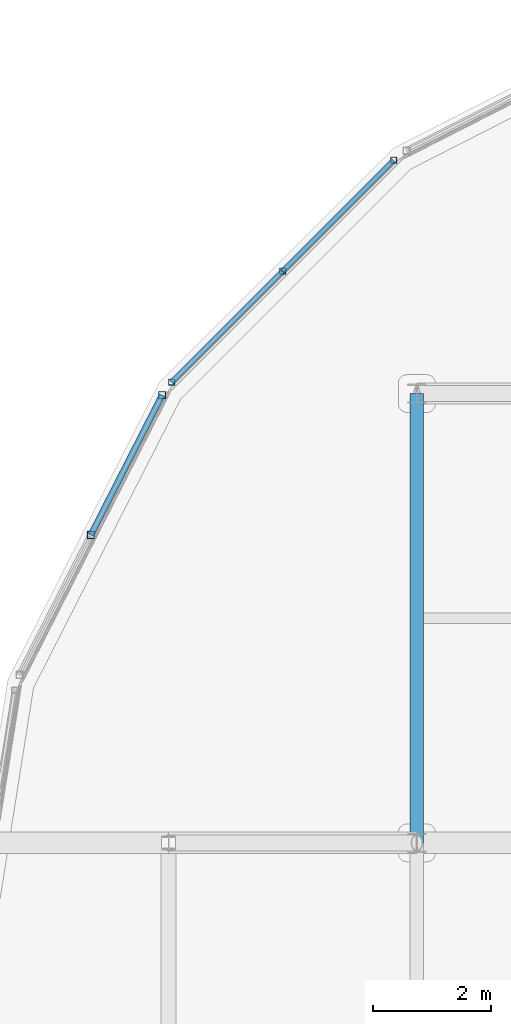
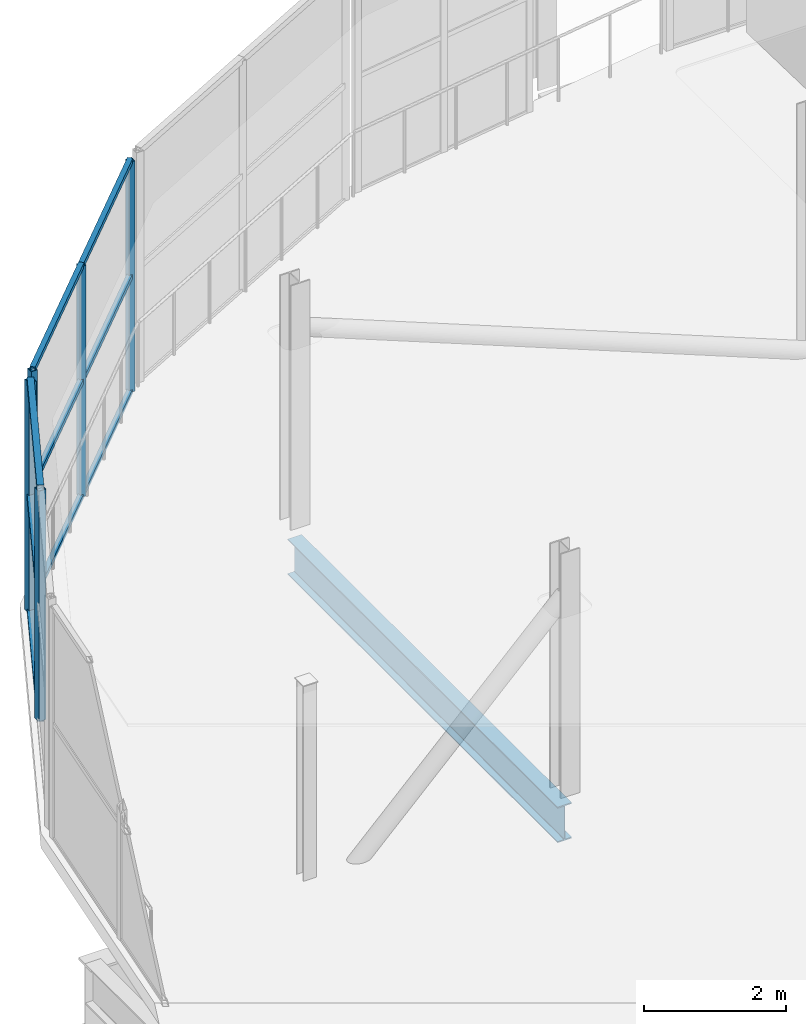
# One storey, part 53 of 151: 14 members, 1 beam, 2 elements without a shape of their own.
"""IFC4 building model written with IfcOpenShell, lengths in metres."""

from ifc_helpers import new_model, si_unit, direction, frame, origin, origin_2d, place, context, subcontext, project, spatial, hollow_rectangle, i_section, extrude, material, material_profile, profile_set, type_object, element, aggregate, save


model = new_model("IFC4")

# Units and contexts
model_context = context("Model", 3, precision=1e-05, world=origin(), true_north=direction((0.0, 1.0)))
body_context = subcontext(model_context, "Body", "Model", "MODEL_VIEW")
ifc_project = project(units=[si_unit("LENGTHUNIT", "METRE"), si_unit("AREAUNIT", "SQUARE_METRE"), si_unit("VOLUMEUNIT", "CUBIC_METRE"), si_unit("PLANEANGLEUNIT", "RADIAN"), si_unit("MASSUNIT", "GRAM", prefix="KILO")], contexts=[model_context])

# Site, building, storey
site_placement = place(None, origin())
site = spatial("IfcSite", under=ifc_project, at=site_placement, CompositionType="ELEMENT")
building_placement = place(site_placement, origin())
building = spatial("IfcBuilding", under=site, at=building_placement, Name="Zuvorla Pavilion Media Centre", CompositionType="ELEMENT")
storey_placement = place(building_placement, frame((0.0, 0.0, 13.800048828125)))
storey = spatial("IfcBuildingStorey", under=building, at=storey_placement, Name="L03", CompositionType="ELEMENT", Elevation=13.800048828125)

# Beam
ifc_material_1 = material(Name="Steel S355", Category="steel")
ifc_material_profile_1 = material_profile(ifc_material_1, i_section(OverallWidth=0.22900390625, OverallDepth=0.6123046875, WebThickness=0.011962890625, FlangeThickness=0.01953125, FilletRadius=0.0126953125, at=origin_2d()), Name="UB 610x229x125")
ifc_profile_set_1 = profile_set([ifc_material_profile_1], Name="Steel S355")
beam_type = type_object("IfcBeamType", Name="BM-UB610", PredefinedType="BEAM", material=ifc_profile_set_1)
beam_placement = place(storey_placement, frame((16.39990234375, 74.39990234375, -0.564208984375), z_axis=(0.0, 1.0, 0.0), x_axis=(-1.0, 0.0, 0.0)))
element("IfcBeam", 1, at=beam_placement, inside=storey, type_object=beam_type, Name="L03 beam B07 1150", PredefinedType="BEAM", context=body_context, shape_type="SweptSolid", body=[
    extrude(i_section(OverallWidth=0.22900390625, OverallDepth=0.6123046875, WebThickness=0.011962890625, FlangeThickness=0.01953125, FilletRadius=0.0126953125, at=origin_2d()), origin(), (0.0, 0.0, 1.0), 7.60009765625),
])

# Curtain wall, members
ifc_material_2 = material(Name="Unitised anodised aluminium and solar glass curtain wall", Category="aluminium")
curtain_wall_type_1 = type_object("IfcCurtainWallType", Name="CW-SYS-04", PredefinedType="USERDEFINED", material=ifc_material_2)
curtain_wall_1_placement = place(storey_placement, origin())
curtain_wall_1 = element("IfcCurtainWall", 2, at=curtain_wall_1_placement, inside=storey, type_object=curtain_wall_type_1, Name="L03 curtain wall CW04 123", ObjectType="CURTAIN WALL", PredefinedType="USERDEFINED")
ifc_material_3 = material(Name="Anodised aluminium 6063-T6", Category="aluminium")
ifc_material_profile_2 = material_profile(ifc_material_3, hollow_rectangle(XDim=0.10009765625, YDim=0.10009765625, WallThickness=0.00439453125, at=origin_2d()), Name="ALU MULL 100x100")
ifc_profile_set_2 = profile_set([ifc_material_profile_2], Name="Anodised aluminium 6063-T6")
member_type_1 = type_object("IfcMemberType", Name="CW-MULL-100", PredefinedType="MULLION", material=ifc_profile_set_2)
member_1_placement = place(storey_placement, frame((16.005859375, 85.9501953125, 0.0), z_axis=(0.0, 0.0, 1.0), x_axis=(1.0, 0.0, 0.0)))
member_1 = element("IfcMember", 3, at=member_1_placement, type_object=member_type_1, Name="CW04 mullion 1", PredefinedType="MULLION", context=body_context, shape_type="SweptSolid", body=[
    extrude(hollow_rectangle(XDim=0.10009765625, YDim=0.10009765625, WallThickness=0.00439453125, at=origin_2d()), origin(), (0.0, 0.0, 1.0), 3.9599609375),
])
member_2_placement = place(storey_placement, frame((14.127685546875, 84.072265625, 0.0), z_axis=(0.0, 0.0, 1.0), x_axis=(1.0, 0.0, 0.0)))
member_2 = element("IfcMember", 4, at=member_2_placement, type_object=member_type_1, Name="CW04 mullion 2", PredefinedType="MULLION", context=body_context, shape_type="SweptSolid", body=[
    extrude(hollow_rectangle(XDim=0.10009765625, YDim=0.10009765625, WallThickness=0.00439453125, at=origin_2d()), origin(), (0.0, 0.0, 1.0), 3.9599609375),
])
member_3_placement = place(storey_placement, frame((12.249755859375, 82.194091796875, 0.0), z_axis=(0.0, 0.0, 1.0), x_axis=(1.0, 0.0, 0.0)))
member_3 = element("IfcMember", 5, at=member_3_placement, type_object=member_type_1, Name="CW04 mullion 3", PredefinedType="MULLION", context=body_context, shape_type="SweptSolid", body=[
    extrude(hollow_rectangle(XDim=0.10009765625, YDim=0.10009765625, WallThickness=0.00439453125, at=origin_2d()), origin(), (0.0, 0.0, 1.0), 3.9599609375),
])

curtain_wall_type_2 = type_object("IfcCurtainWallType", Name="CW-SYS-02", PredefinedType="USERDEFINED", material=ifc_material_2)
curtain_wall_2_placement = place(storey_placement, origin())
curtain_wall_2 = element("IfcCurtainWall", 6, at=curtain_wall_2_placement, inside=storey, type_object=curtain_wall_type_2, Name="L03 curtain wall CW02 124", ObjectType="CURTAIN WALL", PredefinedType="USERDEFINED")
ifc_material_profile_3 = material_profile(ifc_material_3, hollow_rectangle(XDim=0.1201171875, YDim=0.1201171875, WallThickness=0.0048828125, at=origin_2d()), Name="ALU MULL 120x120")
ifc_profile_set_3 = profile_set([ifc_material_profile_3], Name="Anodised aluminium 6063-T6")
member_type_2 = type_object("IfcMemberType", Name="CW-MULL-120", PredefinedType="MULLION", material=ifc_profile_set_3)
member_4_placement = place(storey_placement, frame((12.08984375, 81.97412109375, 0.0), z_axis=(0.0, 0.0, 1.0), x_axis=(1.0, 0.0, 0.0)))
member_4 = element("IfcMember", 7, at=member_4_placement, type_object=member_type_2, Name="CW02 mullion 1", PredefinedType="MULLION", context=body_context, shape_type="SweptSolid", body=[
    extrude(hollow_rectangle(XDim=0.1201171875, YDim=0.1201171875, WallThickness=0.0048828125, at=origin_2d()), origin(), (0.0, 0.0, 1.0), 3.9599609375),
])
member_5_placement = place(storey_placement, frame((10.884033203125, 79.607666015625, 0.0), z_axis=(0.0, 0.0, 1.0), x_axis=(1.0, 0.0, 0.0)))
member_5 = element("IfcMember", 8, at=member_5_placement, type_object=member_type_2, Name="CW02 mullion 2", PredefinedType="MULLION", context=body_context, shape_type="SweptSolid", body=[
    extrude(hollow_rectangle(XDim=0.1201171875, YDim=0.1201171875, WallThickness=0.0048828125, at=origin_2d()), origin(), (0.0, 0.0, 1.0), 3.9599609375),
])
ifc_material_profile_4 = material_profile(ifc_material_3, hollow_rectangle(XDim=0.10009765625, YDim=0.10009765625, WallThickness=0.00439453125, at=origin_2d()), Name="ALU TRAN 100x100")
ifc_profile_set_4 = profile_set([ifc_material_profile_4], Name="Anodised aluminium 6063-T6")
member_type_3 = type_object("IfcMemberType", Name="CW-TRAN-100", PredefinedType="USERDEFINED", material=ifc_profile_set_4)
member_6_placement = place(storey_placement, frame((12.08984375, 81.97412109375, 0.0), z_axis=(-0.454002892375, -0.891000209717, 0.0), x_axis=(0.891000209717, -0.454002892375, 0.0)))
member_6 = element("IfcMember", 9, at=member_6_placement, type_object=member_type_3, Name="CW02 transom 1.1", ObjectType="TRANSOM", PredefinedType="USERDEFINED", context=body_context, shape_type="SweptSolid", body=[
    extrude(hollow_rectangle(XDim=0.10009765625, YDim=0.10009765625, WallThickness=0.00439453125, at=origin_2d()), origin(), (0.0, 0.0, 1.0), 2.656005859375),
])
member_7_placement = place(storey_placement, frame((12.08984375, 81.97412109375, 1.97998046875), z_axis=(-0.454002892375, -0.891000209717, 0.0), x_axis=(0.891000209717, -0.454002892375, 0.0)))
member_7 = element("IfcMember", 10, at=member_7_placement, type_object=member_type_3, Name="CW02 transom 1.2", ObjectType="TRANSOM", PredefinedType="USERDEFINED", context=body_context, shape_type="SweptSolid", body=[
    extrude(hollow_rectangle(XDim=0.10009765625, YDim=0.10009765625, WallThickness=0.00439453125, at=origin_2d()), origin(), (0.0, 0.0, 1.0), 2.656005859375),
])
member_8_placement = place(storey_placement, frame((12.08984375, 81.97412109375, 3.9599609375), z_axis=(-0.454002892375, -0.891000209717, 0.0), x_axis=(0.891000209717, -0.454002892375, 0.0)))
member_8 = element("IfcMember", 11, at=member_8_placement, type_object=member_type_3, Name="CW02 transom 1.3", ObjectType="TRANSOM", PredefinedType="USERDEFINED", context=body_context, shape_type="SweptSolid", body=[
    extrude(hollow_rectangle(XDim=0.10009765625, YDim=0.10009765625, WallThickness=0.00439453125, at=origin_2d()), origin(), (0.0, 0.0, 1.0), 2.656005859375),
])
aggregate(curtain_wall_2, [member_4, member_5, member_6, member_7, member_8])

# Member
ifc_material_profile_5 = material_profile(ifc_material_3, hollow_rectangle(XDim=0.080078125, YDim=0.080078125, WallThickness=0.00390625, at=origin_2d()), Name="ALU TRAN 80x80")
ifc_profile_set_5 = profile_set([ifc_material_profile_5], Name="Anodised aluminium 6063-T6")
member_type_4 = type_object("IfcMemberType", Name="CW-TRAN-80", PredefinedType="USERDEFINED", material=ifc_profile_set_5)
member_9_placement = place(storey_placement, frame((16.005859375, 85.9501953125, 0.0), z_axis=(-0.707152740485, -0.707060818901, 0.0), x_axis=(0.707060818901, -0.707152740485, 0.0)))
member_9 = element("IfcMember", 12, at=member_9_placement, type_object=member_type_4, Name="CW04 transom 1.1", ObjectType="TRANSOM", PredefinedType="USERDEFINED", context=body_context, shape_type="SweptSolid", body=[
    extrude(hollow_rectangle(XDim=0.080078125, YDim=0.080078125, WallThickness=0.00390625, at=origin_2d()), origin(), (0.0, 0.0, 1.0), 2.656005859375),
])

member_10_placement = place(storey_placement, frame((16.005859375, 85.9501953125, 1.97998046875), z_axis=(-0.707152740485, -0.707060818901, 0.0), x_axis=(0.707060818901, -0.707152740485, 0.0)))
member_10 = element("IfcMember", 13, at=member_10_placement, type_object=member_type_4, Name="CW04 transom 1.2", ObjectType="TRANSOM", PredefinedType="USERDEFINED", context=body_context, shape_type="SweptSolid", body=[
    extrude(hollow_rectangle(XDim=0.080078125, YDim=0.080078125, WallThickness=0.00390625, at=origin_2d()), origin(), (0.0, 0.0, 1.0), 2.656005859375),
])

member_11_placement = place(storey_placement, frame((16.005859375, 85.9501953125, 3.9599609375), z_axis=(-0.707152740485, -0.707060818901, 0.0), x_axis=(0.707060818901, -0.707152740485, 0.0)))
member_11 = element("IfcMember", 14, at=member_11_placement, type_object=member_type_4, Name="CW04 transom 1.3", ObjectType="TRANSOM", PredefinedType="USERDEFINED", context=body_context, shape_type="SweptSolid", body=[
    extrude(hollow_rectangle(XDim=0.080078125, YDim=0.080078125, WallThickness=0.00390625, at=origin_2d()), origin(), (0.0, 0.0, 1.0), 2.656005859375),
])

member_12_placement = place(storey_placement, frame((14.127685546875, 84.072265625, 0.0), z_axis=(-0.707060818901, -0.707152740485, 0.0), x_axis=(0.707152740485, -0.707060818901, 0.0)))
member_12 = element("IfcMember", 15, at=member_12_placement, type_object=member_type_4, Name="CW04 transom 2.1", ObjectType="TRANSOM", PredefinedType="USERDEFINED", context=body_context, shape_type="SweptSolid", body=[
    extrude(hollow_rectangle(XDim=0.080078125, YDim=0.080078125, WallThickness=0.00390625, at=origin_2d()), origin(), (0.0, 0.0, 1.0), 2.656005859375),
])

member_13_placement = place(storey_placement, frame((14.127685546875, 84.072265625, 1.97998046875), z_axis=(-0.707060818901, -0.707152740485, 0.0), x_axis=(0.707152740485, -0.707060818901, 0.0)))
member_13 = element("IfcMember", 16, at=member_13_placement, type_object=member_type_4, Name="CW04 transom 2.2", ObjectType="TRANSOM", PredefinedType="USERDEFINED", context=body_context, shape_type="SweptSolid", body=[
    extrude(hollow_rectangle(XDim=0.080078125, YDim=0.080078125, WallThickness=0.00390625, at=origin_2d()), origin(), (0.0, 0.0, 1.0), 2.656005859375),
])

member_14_placement = place(storey_placement, frame((14.127685546875, 84.072265625, 3.9599609375), z_axis=(-0.707060818901, -0.707152740485, 0.0), x_axis=(0.707152740485, -0.707060818901, 0.0)))
member_14 = element("IfcMember", 17, at=member_14_placement, type_object=member_type_4, Name="CW04 transom 2.3", ObjectType="TRANSOM", PredefinedType="USERDEFINED", context=body_context, shape_type="SweptSolid", body=[
    extrude(hollow_rectangle(XDim=0.080078125, YDim=0.080078125, WallThickness=0.00390625, at=origin_2d()), origin(), (0.0, 0.0, 1.0), 2.656005859375),
])

aggregate(curtain_wall_1, [member_1, member_2, member_3, member_9, member_10, member_11, member_12, member_13, member_14])

save(model, "model.ifc")
